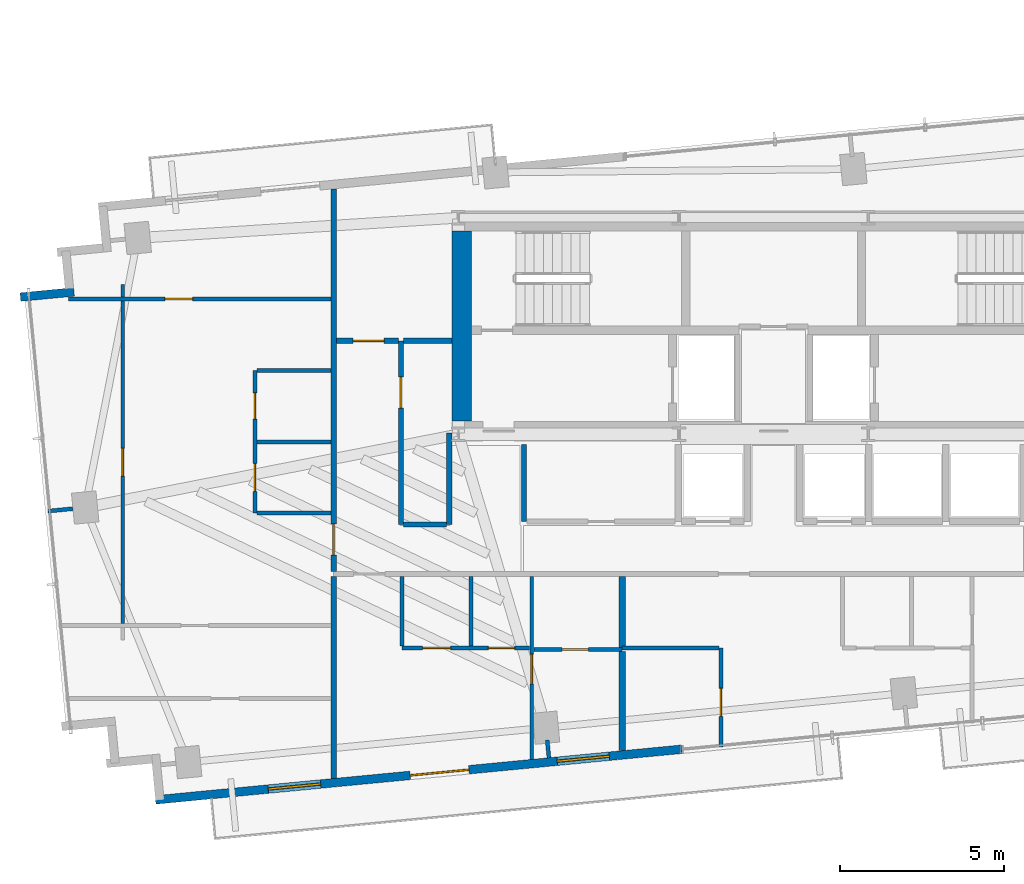
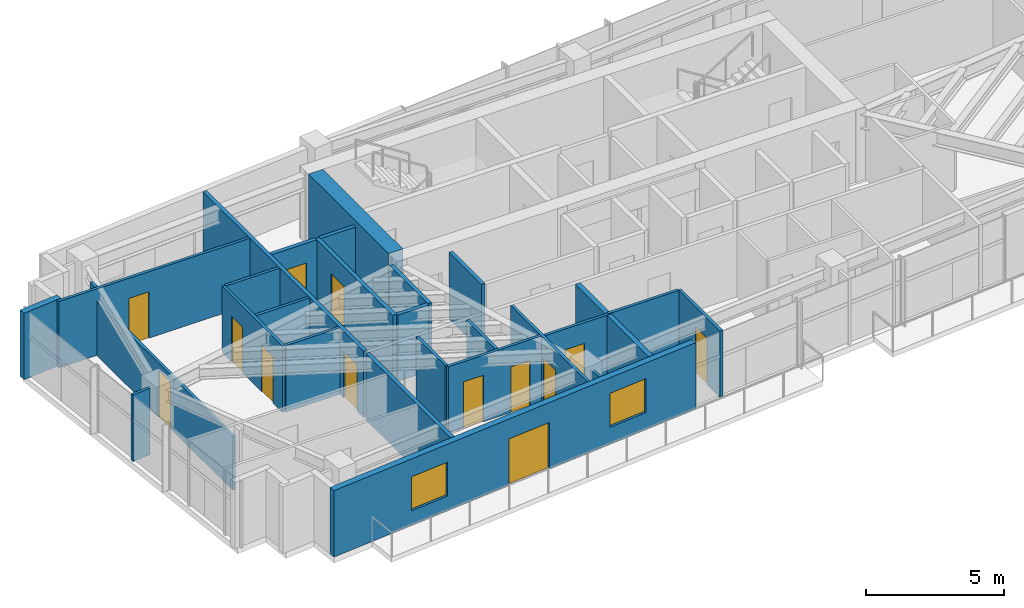
# One storey, part 13 of 18: 29 walls, 13 doors, 2 windows, 15 openings.
"""IFC4 building model written with IfcOpenShell, lengths in metres."""

from ifc_helpers import new_model, si_unit, direction, frame, frame_2d, origin, place, context, subcontext, project, spatial, rectangle, extrude, source, transform, mapped, material, layer, layer_set, type_object, type_shapes, element, fill, save


model = new_model("IFC4")

# Units and contexts
model_context = context("Model", 3, precision=1e-05, world=origin(), true_north=direction((0.0, 1.0)))
body_context = subcontext(model_context, "Body", "Model", "MODEL_VIEW")
ifc_project = project(units=[si_unit("LENGTHUNIT", "METRE"), si_unit("AREAUNIT", "SQUARE_METRE"), si_unit("VOLUMEUNIT", "CUBIC_METRE"), si_unit("PLANEANGLEUNIT", "RADIAN"), si_unit("MASSUNIT", "GRAM", prefix="KILO")], contexts=[model_context])

# Site, building, storey
site_placement = place(None, origin())
site = spatial("IfcSite", under=ifc_project, at=site_placement, CompositionType="ELEMENT")
building_placement = place(site_placement, origin())
building = spatial("IfcBuilding", under=site, at=building_placement, Name="Astriad Promenade Condominiums", CompositionType="ELEMENT")
storey_placement = place(building_placement, frame((0.0, 0.0, 176.199951171875)))
storey = spatial("IfcBuildingStorey", under=building, at=storey_placement, Name="L50", CompositionType="ELEMENT", Elevation=176.199951171875)

# Walls
ifc_material_1 = material(Name="Concrete C50/60", Category="concrete")
ifc_layer_1 = layer(ifc_material_1, 0.60009765625)
ifc_layer_set_1 = layer_set([ifc_layer_1], Name="Concrete C50/60")
wall_type_1 = type_object("IfcWallType", Name="CW-SHEAR-600", PredefinedType="SHEAR", material=ifc_layer_set_1)
wall_1_placement = place(storey_placement, frame((26.5, 17.802001953125, 0.0), z_axis=(0.0, 0.0, 1.0), x_axis=(0.0, 1.0, 0.0)))
element("IfcWall", 1, at=wall_1_placement, inside=storey, type_object=wall_type_1, Name="CW-CORE-W-L50", PredefinedType="SHEAR", context=body_context, shape_type="SweptSolid", body=[
    extrude(rectangle(XDim=5.7958984375, YDim=0.60009765625, at=frame_2d((2.89794921875, 0.0))), origin(), (0.0, 0.0, 1.0), 3.199951171875),
])
ifc_material_2 = material(Name="Fire-Rated Gypsum Partition")
ifc_layer_2 = layer(ifc_material_2, 0.159912109375)
ifc_layer_set_2 = layer_set([ifc_layer_2], Name="Fire-Rated Gypsum Partition")
wall_type_2 = type_object("IfcWallType", Name="WALL-CORR-160", PredefinedType="PARTITIONING", material=ifc_layer_set_2)
wall_2_placement = place(storey_placement, frame((28.39990234375, 14.75, 0.0), z_axis=(0.0, 0.0, 1.0), x_axis=(0.0, 1.0, 0.0)))
element("IfcWall", 2, at=wall_2_placement, inside=storey, type_object=wall_type_2, Name="REC-L-W-L50", PredefinedType="PARTITIONING", context=body_context, shape_type="SweptSolid", body=[
    extrude(rectangle(XDim=2.35009765625, YDim=0.159912109375, at=frame_2d((1.175048828125, 0.0))), origin(), (0.0, 0.0, 1.0), 2.93994140625),
])
wall_3_placement = place(storey_placement, frame((22.60009765625, 6.92236328125, 0.0), z_axis=(0.0, 0.0, 1.0), x_axis=(0.0, 1.0, 0.0)))
element("IfcWall", 3, at=wall_3_placement, inside=storey, type_object=wall_type_2, Name="PT-COR-W-L50", PredefinedType="PARTITIONING", context=body_context, shape_type="SweptSolid", body=[
    extrude(rectangle(XDim=6.145751953125, YDim=0.159912109375, at=frame_2d((3.07275390625, 0.0))), origin(), (0.0, 0.0, 1.0), 2.93994140625),
])

# Wall, opening, door
wall_4_placement = place(storey_placement, frame((22.60009765625, 13.23193359375, 0.0), z_axis=(0.0, 0.0, 1.0), x_axis=(0.0, 1.0, 0.0)))
wall_4 = element("IfcWall", 4, at=wall_4_placement, inside=storey, type_object=wall_type_2, Name="PT-COR-W-L50-S2", PredefinedType="PARTITIONING", context=body_context, shape_type="SweptSolid", body=[
    extrude(rectangle(XDim=11.64892578125, YDim=0.159912109375, at=frame_2d((5.824462890625, 0.0))), origin(), (0.0, 0.0, 1.0), 2.93994140625),
])
opening_1_placement = place(wall_4_placement, frame((0.492919921875, 0.0, 0.0)))
opening_1 = element("IfcOpeningElement", 5, at=opening_1_placement, cuts=wall_4, Name="Opening FD60-APT-095", PredefinedType="OPENING", context=body_context, shape_type="SweptSolid", body=[
    extrude(rectangle(XDim=0.949951171875, YDim=2.06005859375, at=frame_2d((0.47509765625, 1.030029296875))), frame((0.0, 0.08984375, 0.0), z_axis=(0.0, -1.0, 0.0), x_axis=(1.0, 0.0, 0.0)), (0.0, 0.0, 1.0), 0.179931640625),
])
ifc_material_3 = material(Name="Solid-Core Acoustic Timber Residence Entry Door", Category="wood")
door_type_1 = type_object("IfcDoorType", Name="FD60-APT-095", OperationType="NOTDEFINED", PredefinedType="DOOR", material=ifc_material_3)
shared_shape_1 = source(origin(), body_context, "Body", "SweptSolid", [
    extrude(rectangle(XDim=0.949951171875, YDim=2.06005859375, at=frame_2d((0.47509765625, 1.030029296875))), frame((0.0, 0.02490234375, 0.0), z_axis=(0.0, -1.0, 0.0), x_axis=(1.0, 0.0, 0.0)), (0.0, 0.0, 1.0), 0.050048828125),
])
type_shapes(door_type_1, [shared_shape_1])
door_1_placement = place(opening_1_placement, origin())
door_1 = element("IfcDoor", 6, at=door_1_placement, inside=storey, type_object=door_type_1, Name="D-ENT-L50-W1", OperationType="SINGLE_SWING_LEFT", OverallHeight=2.06005859375, OverallWidth=0.949951171875, PredefinedType="DOOR", context=body_context, shape_type="MappedRepresentation", body=[
    mapped(shared_shape_1, transform((0.0, 0.0, 0.0), scale=1.0)),
])
fill(opening_1, door_1)

wall_5_placement = place(storey_placement, frame((24.64990234375, 14.659912109375, 0.0), z_axis=(0.0, 0.0, 1.0), x_axis=(0.0, 1.0, 0.0)))
wall_5 = element("IfcWall", 7, at=wall_5_placement, inside=storey, type_object=wall_type_2, Name="PT-HK-E-L50", PredefinedType="PARTITIONING", context=body_context, shape_type="SweptSolid", body=[
    extrude(rectangle(XDim=5.590087890625, YDim=0.159912109375, at=frame_2d((2.794921875, 0.0))), origin(), (0.0, 0.0, 1.0), 2.93994140625),
])
opening_2_placement = place(wall_5_placement, frame((3.5400390625, 0.0, 0.0)))
opening_2 = element("IfcOpeningElement", 8, at=opening_2_placement, cuts=wall_5, Name="Opening FD60-APT-095", PredefinedType="OPENING", context=body_context, shape_type="SweptSolid", body=[
    extrude(rectangle(XDim=0.949951171875, YDim=2.06005859375, at=frame_2d((0.47509765625, 1.030029296875))), frame((0.0, 0.08984375, 0.0), z_axis=(0.0, -1.0, 0.0), x_axis=(1.0, 0.0, 0.0)), (0.0, 0.0, 1.0), 0.179931640625),
])
door_2_placement = place(opening_2_placement, origin())
door_2 = element("IfcDoor", 9, at=door_2_placement, inside=storey, type_object=door_type_1, Name="D-HKA-L50", OperationType="SINGLE_SWING_LEFT", OverallHeight=2.06005859375, OverallWidth=0.949951171875, PredefinedType="DOOR", context=body_context, shape_type="MappedRepresentation", body=[
    mapped(shared_shape_1, transform((0.0, 0.0, 0.0), scale=1.0)),
])
fill(opening_2, door_2)

wall_6_placement = place(storey_placement, frame((22.681884765625, 20.25, 0.0), z_axis=(0.0, 0.0, 1.0), x_axis=(1.0, 0.0, 0.0)))
wall_6 = element("IfcWall", 10, at=wall_6_placement, inside=storey, type_object=wall_type_2, Name="PT-HK-N-L50", PredefinedType="PARTITIONING", context=body_context, shape_type="SweptSolid", body=[
    extrude(rectangle(XDim=1.88623046875, YDim=0.159912109375, at=frame_2d((0.943115234375, 0.0))), origin(), (0.0, 0.0, 1.0), 2.93994140625),
])
opening_3_placement = place(wall_6_placement, frame((0.508056640625, 0.0, 0.0)))
opening_3 = element("IfcOpeningElement", 11, at=opening_3_placement, cuts=wall_6, Name="Opening FD60-APT-095", PredefinedType="OPENING", context=body_context, shape_type="SweptSolid", body=[
    extrude(rectangle(XDim=0.949951171875, YDim=2.06005859375, at=frame_2d((0.47509765625, 1.030029296875))), frame((0.0, 0.08984375, 0.0), z_axis=(0.0, -1.0, 0.0), x_axis=(1.0, 0.0, 0.0)), (0.0, 0.0, 1.0), 0.179931640625),
])
door_3_placement = place(opening_3_placement, origin())
door_3 = element("IfcDoor", 12, at=door_3_placement, inside=storey, type_object=door_type_1, Name="D-HKB-L50", OperationType="SINGLE_SWING_RIGHT", OverallHeight=2.06005859375, OverallWidth=0.949951171875, PredefinedType="DOOR", context=body_context, shape_type="MappedRepresentation", body=[
    mapped(shared_shape_1, transform((0.0, 0.0, 0.0), scale=1.0)),
])
fill(opening_3, door_3)

# Walls
wall_7_placement = place(storey_placement, frame((24.73193359375, 20.25, 0.0), z_axis=(0.0, 0.0, 1.0), x_axis=(1.0, 0.0, 0.0)))
element("IfcWall", 13, at=wall_7_placement, inside=storey, type_object=wall_type_2, Name="PT-HK-N-L50-S2", PredefinedType="PARTITIONING", context=body_context, shape_type="SweptSolid", body=[
    extrude(rectangle(XDim=1.466064453125, YDim=0.159912109375, at=frame_2d((0.73291015625, 0.0))), origin(), (0.0, 0.0, 1.0), 2.93994140625),
])
wall_8_placement = place(storey_placement, frame((26.1201171875, 14.659912109375, 0.0), z_axis=(0.0, 0.0, 1.0), x_axis=(0.0, 1.0, 0.0)))
element("IfcWall", 14, at=wall_8_placement, inside=storey, type_object=wall_type_2, Name="PT-WSPUR-W-L50", PredefinedType="PARTITIONING", context=body_context, shape_type="SweptSolid", body=[
    extrude(rectangle(XDim=2.7900390625, YDim=0.159912109375, at=frame_2d((1.39501953125, 0.0))), origin(), (0.0, 0.0, 1.0), 2.93994140625),
])
wall_9_placement = place(storey_placement, frame((24.73193359375, 14.659912109375, 0.0), z_axis=(0.0, 0.0, 1.0), x_axis=(1.0, 0.0, 0.0)))
element("IfcWall", 15, at=wall_9_placement, inside=storey, type_object=wall_type_2, Name="PT-HK-S-L50", PredefinedType="PARTITIONING", context=body_context, shape_type="SweptSolid", body=[
    extrude(rectangle(XDim=1.30615234375, YDim=0.159912109375, at=frame_2d((0.653076171875, 0.0))), origin(), (0.0, 0.0, 1.0), 2.93994140625),
])
ifc_material_4 = material(Name="Acoustic Double-Stud Gypsum Partition")
ifc_layer_3 = layer(ifc_material_4, 0.199951171875)
ifc_layer_set_3 = layer_set([ifc_layer_3], Name="Acoustic Double-Stud Gypsum Partition")
wall_type_3 = type_object("IfcWallType", Name="WALL-DEMISING-200", PredefinedType="PARTITIONING", material=ifc_layer_set_3)
wall_10_placement = place(storey_placement, frame((31.384033203125, 7.76806640625, 0.0), z_axis=(0.0, 0.0, 1.0), x_axis=(0.0, 1.0, 0.0)))
element("IfcWall", 16, at=wall_10_placement, inside=storey, type_object=wall_type_3, Name="PT-DEM-S1-L50", PredefinedType="PARTITIONING", context=body_context, shape_type="SweptSolid", body=[
    extrude(rectangle(XDim=3.02001953125, YDim=0.199951171875, at=frame_2d((1.510009765625, 0.0))), origin(), (0.0, 0.0, 1.0), 2.93994140625),
])
wall_11_placement = place(storey_placement, frame((31.384033203125, 10.912109375, 0.0), z_axis=(0.0, 0.0, 1.0), x_axis=(0.0, 1.0, 0.0)))
element("IfcWall", 17, at=wall_11_placement, inside=storey, type_object=wall_type_3, Name="PT-DEM-S1-L50-S2", PredefinedType="PARTITIONING", context=body_context, shape_type="SweptSolid", body=[
    extrude(rectangle(XDim=2.156005859375, YDim=0.199951171875, at=frame_2d((1.078125, 0.0))), origin(), (0.0, 0.0, 1.0), 2.93994140625),
])
ifc_material_5 = material(Name="Precast concrete C50/60", Category="concrete")
ifc_layer_4 = layer(ifc_material_5, 0.260009765625)
ifc_layer_set_4 = layer_set([ifc_layer_4], Name="Precast concrete C50/60")
wall_type_4 = type_object("IfcWallType", Name="WALL-EXT-TWR-260", PredefinedType="STANDARD", material=ifc_layer_set_4)
wall_12_placement = place(storey_placement, frame((13.058349609375, 21.583251953125, 0.0), z_axis=(0.0, 0.0, 1.0), x_axis=(0.995394563142, 0.095862733462, 0.0)))
element("IfcWall", 18, at=wall_12_placement, inside=storey, type_object=wall_type_4, Name="W-SER-L50-04", PredefinedType="STANDARD", context=body_context, shape_type="SweptSolid", body=[
    extrude(rectangle(XDim=1.64013671875, YDim=0.260009765625, at=frame_2d((0.820068359375, 0.0))), origin(), (0.0, 0.0, 1.0), 2.93994140625),
])

# Wall, openings, door, windows
wall_13_placement = place(storey_placement, frame((33.201171875, 7.810302734375, 0.0), z_axis=(0.0, 0.0, 1.0), x_axis=(-0.995397074604, -0.095836652014, 0.0)))
wall_13 = element("IfcWall", 19, at=wall_13_placement, inside=storey, type_object=wall_type_4, Name="W-EXT-L50-S2", PredefinedType="STANDARD", context=body_context, shape_type="SweptSolid", body=[
    extrude(rectangle(XDim=16.10009765625, YDim=0.260009765625, at=frame_2d((8.050048828125, 0.0))), origin(), (0.0, 0.0, 1.0), 2.93994140625),
])
opening_4_placement = place(wall_13_placement, frame((6.510009765625, 0.0, 0.0)))
opening_4 = element("IfcOpeningElement", 20, at=opening_4_placement, cuts=wall_13, Name="Opening BD-1822-SLD", PredefinedType="OPENING", context=body_context, shape_type="SweptSolid", body=[
    extrude(rectangle(XDim=1.800048828125, YDim=2.06005859375, at=frame_2d((0.89990234375, 1.030029296875))), frame((0.0, 0.139892578125, 0.0), z_axis=(0.0, -1.0, 0.0), x_axis=(1.0, 0.0, 0.0)), (0.0, 0.0, 1.0), 0.280029296875),
])
opening_5_placement = place(wall_13_placement, frame((11.050048828125, 0.0, 0.64990234375)))
opening_5 = element("IfcOpeningElement", 21, at=opening_5_placement, cuts=wall_13, Name="Opening WIN-TWR-1620", PredefinedType="OPENING", context=body_context, shape_type="SweptSolid", body=[
    extrude(rectangle(XDim=1.60009765625, YDim=1.5, at=frame_2d((0.800048828125, 0.75))), frame((0.0, 0.139892578125, 0.0), z_axis=(0.0, -1.0, 0.0), x_axis=(1.0, 0.0, 0.0)), (0.0, 0.0, 1.0), 0.280029296875),
])
opening_6_placement = place(wall_13_placement, frame((2.212890625, 0.0, 0.75)))
opening_6 = element("IfcOpeningElement", 22, at=opening_6_placement, cuts=wall_13, Name="Opening WIN-TWR-1620", PredefinedType="OPENING", context=body_context, shape_type="SweptSolid", body=[
    extrude(rectangle(XDim=1.60009765625, YDim=1.5, at=frame_2d((0.800048828125, 0.75))), frame((0.0, 0.139892578125, 0.0), z_axis=(0.0, -1.0, 0.0), x_axis=(1.0, 0.0, 0.0)), (0.0, 0.0, 1.0), 0.280029296875),
])
ifc_material_6 = material(Name="Thermally Broken Aluminium Sliding Balcony Door", Category="aluminium")
door_type_2 = type_object("IfcDoorType", Name="BD-1822-SLD", OperationType="NOTDEFINED", PredefinedType="DOOR", material=ifc_material_6)
shared_shape_2 = source(origin(), body_context, "Body", "SweptSolid", [
    extrude(rectangle(XDim=1.800048828125, YDim=2.06005859375, at=frame_2d((0.89990234375, 1.030029296875))), frame((0.0, 0.02490234375, 0.0), z_axis=(0.0, -1.0, 0.0), x_axis=(1.0, 0.0, 0.0)), (0.0, 0.0, 1.0), 0.050048828125),
])
type_shapes(door_type_2, [shared_shape_2])
door_4_placement = place(opening_4_placement, origin())
door_4 = element("IfcDoor", 23, at=door_4_placement, inside=storey, type_object=door_type_2, Name="BD-L50-SW", OperationType="SLIDING_TO_LEFT", OverallHeight=2.06005859375, OverallWidth=1.800048828125, PredefinedType="DOOR", context=body_context, shape_type="MappedRepresentation", body=[
    mapped(shared_shape_2, transform((0.0, 0.0, 0.0), scale=1.0)),
])
fill(opening_4, door_4)
ifc_material_7 = material(Name="Dark Tinted Triple-Glazed Aluminium Window", Category="aluminium")
window_type = type_object("IfcWindowType", Name="WIN-TWR-1620", PartitioningType="SINGLE_PANEL", PredefinedType="WINDOW", material=ifc_material_7)
shared_shape_3 = source(origin(), body_context, "Body", "SweptSolid", [
    extrude(rectangle(XDim=1.60009765625, YDim=1.5, at=frame_2d((0.800048828125, 0.75))), frame((0.0, 0.030029296875, 0.0), z_axis=(0.0, -1.0, 0.0), x_axis=(1.0, 0.0, 0.0)), (0.0, 0.0, 1.0), 0.06005859375),
])
type_shapes(window_type, [shared_shape_3])
window_1_placement = place(opening_5_placement, origin())
window_1 = element("IfcWindow", 24, at=window_1_placement, inside=storey, type_object=window_type, Name="WIN-L50-SW", OverallHeight=1.5, OverallWidth=1.60009765625, PartitioningType="SINGLE_PANEL", PredefinedType="WINDOW", context=body_context, shape_type="MappedRepresentation", body=[
    mapped(shared_shape_3, transform((0.0, 0.0, 0.0), scale=1.0)),
])
fill(opening_5, window_1)
window_2_placement = place(opening_6_placement, origin())
window_2 = element("IfcWindow", 25, at=window_2_placement, inside=storey, type_object=window_type, Name="WIN-DW-L50-S1-BD1", OverallHeight=1.5, OverallWidth=1.60009765625, PartitioningType="SINGLE_PANEL", PredefinedType="WINDOW", context=body_context, shape_type="MappedRepresentation", body=[
    mapped(shared_shape_3, transform((0.0, 0.0, 0.0), scale=1.0)),
])
fill(opening_6, window_2)

# Wall, opening, door
ifc_material_8 = material(Name="Acoustic Metal-Stud Gypsum Partition")
ifc_layer_5 = layer(ifc_material_8, 0.1201171875)
ifc_layer_set_5 = layer_set([ifc_layer_5], Name="Acoustic Metal-Stud Gypsum Partition")
wall_type_5 = type_object("IfcWallType", Name="WALL-PART-120", PredefinedType="PARTITIONING", material=ifc_layer_set_5)
wall_14_placement = place(storey_placement, frame((28.634033203125, 7.50341796875, 0.0), z_axis=(0.0, 0.0, 1.0), x_axis=(0.0, 1.0, 0.0)))
wall_14 = element("IfcWall", 26, at=wall_14_placement, inside=storey, type_object=wall_type_5, Name="PT-L50-S1-BD1", PredefinedType="PARTITIONING", context=body_context, shape_type="SweptSolid", body=[
    extrude(rectangle(XDim=5.564697265625, YDim=0.1201171875, at=frame_2d((2.7822265625, 0.0))), origin(), (0.0, 0.0, 1.0), 2.93994140625),
])
opening_7_placement = place(wall_14_placement, frame((2.296630859375, 0.0, 0.0)))
opening_7 = element("IfcOpeningElement", 27, at=opening_7_placement, cuts=wall_14, Name="Opening D-INT-090", PredefinedType="OPENING", context=body_context, shape_type="SweptSolid", body=[
    extrude(rectangle(XDim=0.89990234375, YDim=2.050048828125, at=frame_2d((0.449951171875, 1.02490234375))), frame((0.0, 0.070068359375, 0.0), z_axis=(0.0, -1.0, 0.0), x_axis=(1.0, 0.0, 0.0)), (0.0, 0.0, 1.0), 0.14013671875),
])
ifc_material_9 = material(Name="Painted Solid-Core Timber Bedroom Door", Category="wood")
door_type_3 = type_object("IfcDoorType", Name="D-INT-090", OperationType="NOTDEFINED", PredefinedType="DOOR", material=ifc_material_9)
shared_shape_4 = source(origin(), body_context, "Body", "SweptSolid", [
    extrude(rectangle(XDim=0.89990234375, YDim=2.050048828125, at=frame_2d((0.449951171875, 1.02490234375))), frame((0.0, 0.02490234375, 0.0), z_axis=(0.0, -1.0, 0.0), x_axis=(1.0, 0.0, 0.0)), (0.0, 0.0, 1.0), 0.050048828125),
])
type_shapes(door_type_3, [shared_shape_4])
door_5_placement = place(opening_7_placement, origin())
door_5 = element("IfcDoor", 28, at=door_5_placement, inside=storey, type_object=door_type_3, Name="D-BD1-L50-S1", OperationType="SINGLE_SWING_LEFT", OverallHeight=2.050048828125, OverallWidth=0.89990234375, PredefinedType="DOOR", context=body_context, shape_type="MappedRepresentation", body=[
    mapped(shared_shape_4, transform((0.0, 0.0, 0.0), scale=1.0)),
])
fill(opening_7, door_5)

# Wall, openings, doors
wall_15_placement = place(storey_placement, frame((24.68408203125, 10.89990234375, 0.0), z_axis=(0.0, 0.0, 1.0), x_axis=(1.0, 0.0, 0.0)))
wall_15 = element("IfcWall", 29, at=wall_15_placement, inside=storey, type_object=wall_type_5, Name="PT-L50-S1-PS", PredefinedType="PARTITIONING", context=body_context, shape_type="SweptSolid", body=[
    extrude(rectangle(XDim=3.887939453125, YDim=0.1201171875, at=frame_2d((1.94384765625, 0.0))), origin(), (0.0, 0.0, 1.0), 2.93994140625),
])
opening_8_placement = place(wall_15_placement, frame((0.625, 0.0, 0.0)))
opening_8 = element("IfcOpeningElement", 30, at=opening_8_placement, cuts=wall_15, Name="Opening D-INT-085", PredefinedType="OPENING", context=body_context, shape_type="SweptSolid", body=[
    extrude(rectangle(XDim=0.85009765625, YDim=2.050048828125, at=frame_2d((0.425048828125, 1.02490234375))), frame((0.0, 0.070068359375, 0.0), z_axis=(0.0, -1.0, 0.0), x_axis=(1.0, 0.0, 0.0)), (0.0, 0.0, 1.0), 0.14013671875),
])
opening_9_placement = place(wall_15_placement, frame((2.625, 0.0, 0.0)))
opening_9 = element("IfcOpeningElement", 31, at=opening_9_placement, cuts=wall_15, Name="Opening D-WET-080", PredefinedType="OPENING", context=body_context, shape_type="SweptSolid", body=[
    extrude(rectangle(XDim=0.800048828125, YDim=2.02001953125, at=frame_2d((0.39990234375, 1.010009765625))), frame((0.0, 0.070068359375, 0.0), z_axis=(0.0, -1.0, 0.0), x_axis=(1.0, 0.0, 0.0)), (0.0, 0.0, 1.0), 0.14013671875),
])
ifc_material_10 = material(Name="Moisture-Resistant Timber Bathroom Door", Category="wood")
door_type_4 = type_object("IfcDoorType", Name="D-WET-080", OperationType="NOTDEFINED", PredefinedType="DOOR", material=ifc_material_10)
shared_shape_5 = source(origin(), body_context, "Body", "SweptSolid", [
    extrude(rectangle(XDim=0.800048828125, YDim=2.02001953125, at=frame_2d((0.39990234375, 1.010009765625))), frame((0.0, 0.02490234375, 0.0), z_axis=(0.0, -1.0, 0.0), x_axis=(1.0, 0.0, 0.0)), (0.0, 0.0, 1.0), 0.050048828125),
])
type_shapes(door_type_4, [shared_shape_5])
door_6_placement = place(opening_9_placement, origin())
door_6 = element("IfcDoor", 32, at=door_6_placement, inside=storey, type_object=door_type_4, Name="D-BTH-L50-S1", OperationType="SINGLE_SWING_LEFT", OverallHeight=2.02001953125, OverallWidth=0.800048828125, PredefinedType="DOOR", context=body_context, shape_type="MappedRepresentation", body=[
    mapped(shared_shape_5, transform((0.0, 0.0, 0.0), scale=1.0)),
])
fill(opening_9, door_6)
ifc_material_11 = material(Name="Painted Solid-Core Timber Room Door", Category="wood")
door_type_5 = type_object("IfcDoorType", Name="D-INT-085", OperationType="NOTDEFINED", PredefinedType="DOOR", material=ifc_material_11)
shared_shape_6 = source(origin(), body_context, "Body", "SweptSolid", [
    extrude(rectangle(XDim=0.85009765625, YDim=2.050048828125, at=frame_2d((0.425048828125, 1.02490234375))), frame((0.0, 0.02490234375, 0.0), z_axis=(0.0, -1.0, 0.0), x_axis=(1.0, 0.0, 0.0)), (0.0, 0.0, 1.0), 0.050048828125),
])
type_shapes(door_type_5, [shared_shape_6])
door_7_placement = place(opening_8_placement, origin())
door_7 = element("IfcDoor", 33, at=door_7_placement, inside=storey, type_object=door_type_5, Name="D-KIT-L50-S1", OperationType="SINGLE_SWING_RIGHT", OverallHeight=2.050048828125, OverallWidth=0.85009765625, PredefinedType="DOOR", context=body_context, shape_type="MappedRepresentation", body=[
    mapped(shared_shape_6, transform((0.0, 0.0, 0.0), scale=1.0)),
])
fill(opening_8, door_7)

# Walls
for number, where, z_axis, x_axis, name in (
    (34, (26.783935546875, 10.9619140625, 0.0), (0.0, 0.0, 1.0), (0.0, 1.0, 0.0), "PT-L50-S1-PBK"),
    (35, (24.68408203125, 10.9619140625, 0.0), (0.0, 0.0, 1.0), (0.0, 1.0, 0.0), "PT-L50-S1-PKW"),
):
    element("IfcWall", number, at=place(storey_placement, frame(where, z_axis=z_axis, x_axis=x_axis)), inside=storey, type_object=wall_type_5, Name=name, PredefinedType="PARTITIONING", context=body_context, shape_type="SweptSolid", body=[
        extrude(rectangle(XDim=2.106201171875, YDim=0.1201171875, at=frame_2d((1.05322265625, 0.0))), origin(), (0.0, 0.0, 1.0), 2.93994140625),
    ])

# Wall, opening, door
wall_16_placement = place(storey_placement, frame((28.696044921875, 10.85009765625, 0.0), z_axis=(0.0, 0.0, 1.0), x_axis=(1.0, 0.0, 0.0)))
wall_16 = element("IfcWall", 36, at=wall_16_placement, inside=storey, type_object=wall_type_5, Name="PT-L50-S1-ENS", PredefinedType="PARTITIONING", context=body_context, shape_type="SweptSolid", body=[
    extrude(rectangle(XDim=2.68798828125, YDim=0.1201171875, at=frame_2d((1.343994140625, 0.0))), origin(), (0.0, 0.0, 1.0), 2.93994140625),
])
opening_10_placement = place(wall_16_placement, frame((0.863037109375, 0.0, 0.0)))
opening_10 = element("IfcOpeningElement", 37, at=opening_10_placement, cuts=wall_16, Name="Opening D-WET-080", PredefinedType="OPENING", context=body_context, shape_type="SweptSolid", body=[
    extrude(rectangle(XDim=0.800048828125, YDim=2.02001953125, at=frame_2d((0.39990234375, 1.010009765625))), frame((0.0, 0.070068359375, 0.0), z_axis=(0.0, -1.0, 0.0), x_axis=(1.0, 0.0, 0.0)), (0.0, 0.0, 1.0), 0.14013671875),
])
door_8_placement = place(opening_10_placement, origin())
door_8 = element("IfcDoor", 38, at=door_8_placement, inside=storey, type_object=door_type_4, Name="D-ENS-L50-S1", OperationType="SINGLE_SWING_LEFT", OverallHeight=2.02001953125, OverallWidth=0.800048828125, PredefinedType="DOOR", context=body_context, shape_type="MappedRepresentation", body=[
    mapped(shared_shape_5, transform((0.0, 0.0, 0.0), scale=1.0)),
])
fill(opening_10, door_8)

wall_17_placement = place(storey_placement, frame((34.39501953125, 7.875, 0.0), z_axis=(0.0, 0.0, 1.0), x_axis=(0.0, 1.0, 0.0)))
wall_17 = element("IfcWall", 39, at=wall_17_placement, inside=storey, type_object=wall_type_5, Name="PT-L50-S2-EXV", PredefinedType="PARTITIONING", context=body_context, shape_type="SweptSolid", body=[
    extrude(rectangle(XDim=3.02490234375, YDim=0.1201171875, at=frame_2d((1.512451171875, 0.0))), origin(), (0.0, 0.0, 1.0), 2.93994140625),
])
opening_11_placement = place(wall_17_placement, frame((0.93701171875, 0.0, 0.0)))
opening_11 = element("IfcOpeningElement", 40, at=opening_11_placement, cuts=wall_17, Name="Opening D-INT-085", PredefinedType="OPENING", context=body_context, shape_type="SweptSolid", body=[
    extrude(rectangle(XDim=0.85009765625, YDim=2.050048828125, at=frame_2d((0.425048828125, 1.02490234375))), frame((0.0, 0.070068359375, 0.0), z_axis=(0.0, -1.0, 0.0), x_axis=(1.0, 0.0, 0.0)), (0.0, 0.0, 1.0), 0.14013671875),
])
door_9_placement = place(opening_11_placement, origin())
door_9 = element("IfcDoor", 41, at=door_9_placement, inside=storey, type_object=door_type_5, Name="D-EX-L50-S2", OperationType="SINGLE_SWING_RIGHT", OverallHeight=2.050048828125, OverallWidth=0.85009765625, PredefinedType="DOOR", context=body_context, shape_type="MappedRepresentation", body=[
    mapped(shared_shape_6, transform((0.0, 0.0, 0.0), scale=1.0)),
])
fill(opening_11, door_9)

# Wall
wall_18_placement = place(storey_placement, frame((31.384033203125, 10.89990234375, 0.0), z_axis=(0.0, 0.0, 1.0), x_axis=(1.0, 0.0, 0.0)))
element("IfcWall", 42, at=wall_18_placement, inside=storey, type_object=wall_type_5, Name="PT-L50-S2-EXH", PredefinedType="PARTITIONING", context=body_context, shape_type="SweptSolid", body=[
    extrude(rectangle(XDim=2.948974609375, YDim=0.1201171875, at=frame_2d((1.474609375, 0.0))), origin(), (0.0, 0.0, 1.0), 2.93994140625),
])

# Wall, openings, doors
wall_19_placement = place(storey_placement, frame((20.199951171875, 15.0, 0.0), z_axis=(0.0, 0.0, 1.0), x_axis=(0.0, 1.0, 0.0)))
wall_19 = element("IfcWall", 43, at=wall_19_placement, inside=storey, type_object=wall_type_5, Name="PT-L50-W1-PV", PredefinedType="PARTITIONING", context=body_context, shape_type="SweptSolid", body=[
    extrude(rectangle(XDim=4.35009765625, YDim=0.1201171875, at=frame_2d((2.175048828125, 0.0))), origin(), (0.0, 0.0, 1.0), 2.93994140625),
])
opening_12_placement = place(wall_19_placement, frame((0.662109375, 0.0, 0.0)))
opening_12 = element("IfcOpeningElement", 44, at=opening_12_placement, cuts=wall_19, Name="Opening D-INT-085", PredefinedType="OPENING", context=body_context, shape_type="SweptSolid", body=[
    extrude(rectangle(XDim=0.85009765625, YDim=2.050048828125, at=frame_2d((0.425048828125, 1.02490234375))), frame((0.0, 0.070068359375, 0.0), z_axis=(0.0, -1.0, 0.0), x_axis=(1.0, 0.0, 0.0)), (0.0, 0.0, 1.0), 0.14013671875),
])
opening_13_placement = place(wall_19_placement, frame((2.863037109375, 0.0, 0.0)))
opening_13 = element("IfcOpeningElement", 45, at=opening_13_placement, cuts=wall_19, Name="Opening D-WET-080", PredefinedType="OPENING", context=body_context, shape_type="SweptSolid", body=[
    extrude(rectangle(XDim=0.800048828125, YDim=2.02001953125, at=frame_2d((0.39990234375, 1.010009765625))), frame((0.0, 0.070068359375, 0.0), z_axis=(0.0, -1.0, 0.0), x_axis=(1.0, 0.0, 0.0)), (0.0, 0.0, 1.0), 0.14013671875),
])
door_10_placement = place(opening_13_placement, origin())
door_10 = element("IfcDoor", 46, at=door_10_placement, inside=storey, type_object=door_type_4, Name="D-BTH-L50-W1", OperationType="SINGLE_SWING_LEFT", OverallHeight=2.02001953125, OverallWidth=0.800048828125, PredefinedType="DOOR", context=body_context, shape_type="MappedRepresentation", body=[
    mapped(shared_shape_5, transform((0.0, 0.0, 0.0), scale=1.0)),
])
fill(opening_13, door_10)
door_11_placement = place(opening_12_placement, origin())
door_11 = element("IfcDoor", 47, at=door_11_placement, inside=storey, type_object=door_type_5, Name="D-KIT-L50-W1", OperationType="SINGLE_SWING_RIGHT", OverallHeight=2.050048828125, OverallWidth=0.85009765625, PredefinedType="DOOR", context=body_context, shape_type="MappedRepresentation", body=[
    mapped(shared_shape_6, transform((0.0, 0.0, 0.0), scale=1.0)),
])
fill(opening_12, door_11)

# Walls
for number, where, z_axis, x_axis, name in (
    (48, (20.261962890625, 17.175048828125, 0.0), (0.0, 0.0, 1.0), (1.0, 0.0, 0.0), "PT-L50-W1-PM"),
    (49, (20.261962890625, 15.0, 0.0), (0.0, 0.0, 1.0), (1.0, 0.0, 0.0), "PT-L50-W1-PS"),
    (50, (20.261962890625, 19.35009765625, 0.0), (0.0, 0.0, 1.0), (1.0, 0.0, 0.0), "PT-L50-W1-PN"),
):
    element("IfcWall", number, at=place(storey_placement, frame(where, z_axis=z_axis, x_axis=x_axis)), inside=storey, type_object=wall_type_5, Name=name, PredefinedType="PARTITIONING", context=body_context, shape_type="SweptSolid", body=[
        extrude(rectangle(XDim=2.256103515625, YDim=0.1201171875, at=frame_2d((1.1279296875, 0.0))), origin(), (0.0, 0.0, 1.0), 2.93994140625),
    ])

# Wall, opening, door
wall_20_placement = place(storey_placement, frame((14.530029296875, 21.52587890625, 0.0), z_axis=(0.0, 0.0, 1.0), x_axis=(1.0, 0.0, 0.0)))
wall_20 = element("IfcWall", 51, at=wall_20_placement, inside=storey, type_object=wall_type_5, Name="PT-L50-W1-B1", PredefinedType="PARTITIONING", context=body_context, shape_type="SweptSolid", body=[
    extrude(rectangle(XDim=7.988037109375, YDim=0.1201171875, at=frame_2d((3.994140625, 0.0))), origin(), (0.0, 0.0, 1.0), 2.93994140625),
])
opening_14_placement = place(wall_20_placement, frame((2.925048828125, 0.0, 0.0)))
opening_14 = element("IfcOpeningElement", 52, at=opening_14_placement, cuts=wall_20, Name="Opening D-INT-085", PredefinedType="OPENING", context=body_context, shape_type="SweptSolid", body=[
    extrude(rectangle(XDim=0.85009765625, YDim=2.050048828125, at=frame_2d((0.425048828125, 1.02490234375))), frame((0.0, 0.070068359375, 0.0), z_axis=(0.0, -1.0, 0.0), x_axis=(1.0, 0.0, 0.0)), (0.0, 0.0, 1.0), 0.14013671875),
])
door_12_placement = place(opening_14_placement, origin())
door_12 = element("IfcDoor", 53, at=door_12_placement, inside=storey, type_object=door_type_5, Name="D-BD1-L50-W1", OperationType="SINGLE_SWING_RIGHT", OverallHeight=2.050048828125, OverallWidth=0.85009765625, PredefinedType="DOOR", context=body_context, shape_type="MappedRepresentation", body=[
    mapped(shared_shape_6, transform((0.0, 0.0, 0.0), scale=1.0)),
])
fill(opening_14, door_12)

wall_21_placement = place(storey_placement, frame((16.175048828125, 11.639892578125, 0.0), z_axis=(0.0, 0.0, 1.0), x_axis=(0.0, 1.0, 0.0)))
wall_21 = element("IfcWall", 54, at=wall_21_placement, inside=storey, type_object=wall_type_5, Name="PT-L50-W1-WDV2-S2", PredefinedType="PARTITIONING", context=body_context, shape_type="SweptSolid", body=[
    extrude(rectangle(XDim=9.82421875, YDim=0.1201171875, at=frame_2d((4.912109375, 0.0))), origin(), (0.0, 0.0, 1.0), 2.382568359375),
])
opening_15_placement = place(wall_21_placement, frame((4.487060546875, 0.0, 0.0)))
opening_15 = element("IfcOpeningElement", 55, at=opening_15_placement, cuts=wall_21, Name="Opening D-INT-085", PredefinedType="OPENING", context=body_context, shape_type="SweptSolid", body=[
    extrude(rectangle(XDim=0.85009765625, YDim=2.050048828125, at=frame_2d((0.425048828125, 1.02490234375))), frame((0.0, 0.070068359375, 0.0), z_axis=(0.0, -1.0, 0.0), x_axis=(1.0, 0.0, 0.0)), (0.0, 0.0, 1.0), 0.14013671875),
])
door_13_placement = place(opening_15_placement, origin())
door_13 = element("IfcDoor", 56, at=door_13_placement, inside=storey, type_object=door_type_5, Name="D-WDV2-L50-W1", OperationType="SINGLE_SWING_LEFT", OverallHeight=2.050048828125, OverallWidth=0.85009765625, PredefinedType="DOOR", context=body_context, shape_type="MappedRepresentation", body=[
    mapped(shared_shape_6, transform((0.0, 0.0, 0.0), scale=1.0)),
])
fill(opening_15, door_13)

# Walls
wall_22_placement = place(storey_placement, frame((16.175048828125, 21.587890625, 0.0), z_axis=(0.0, 0.0, 1.0), x_axis=(0.0, 1.0, 0.0)))
element("IfcWall", 57, at=wall_22_placement, inside=storey, type_object=wall_type_5, Name="PT-L50-W1-WDV2-S3", PredefinedType="PARTITIONING", context=body_context, shape_type="SweptSolid", body=[
    extrude(rectangle(XDim=0.378173828125, YDim=0.1201171875, at=frame_2d((0.18896484375, 0.0))), origin(), (0.0, 0.0, 1.0), 2.93994140625),
])
wall_23_placement = place(storey_placement, frame((29.10546875, 8.089111328125, 0.0), z_axis=(0.0, 0.0, 1.0), x_axis=(0.095772948675, -0.995403205893, 0.0)))
element("IfcWall", 58, at=wall_23_placement, inside=storey, type_object=wall_type_5, Name="PT-PIL-L50-PC02-9", PredefinedType="PARTITIONING", context=body_context, shape_type="SweptSolid", body=[
    extrude(rectangle(XDim=0.537841796875, YDim=0.1201171875, at=frame_2d((0.26904296875, 0.0))), origin(), (0.0, 0.0, 1.0), 2.93994140625),
])
wall_24_placement = place(storey_placement, frame((14.653564453125, 15.136474609375, 0.0), z_axis=(0.0, 0.0, 1.0), x_axis=(-0.995408440582, -0.095718527039, 0.0)))
element("IfcWall", 59, at=wall_24_placement, inside=storey, type_object=wall_type_5, Name="PT-PIL-L50-PC11-18", PredefinedType="PARTITIONING", context=body_context, shape_type="SweptSolid", body=[
    extrude(rectangle(XDim=0.760009765625, YDim=0.1201171875, at=frame_2d((0.3798828125, 0.0))), origin(), (0.0, 0.0, 1.0), 2.93994140625),
])

save(model, "model.ifc")
